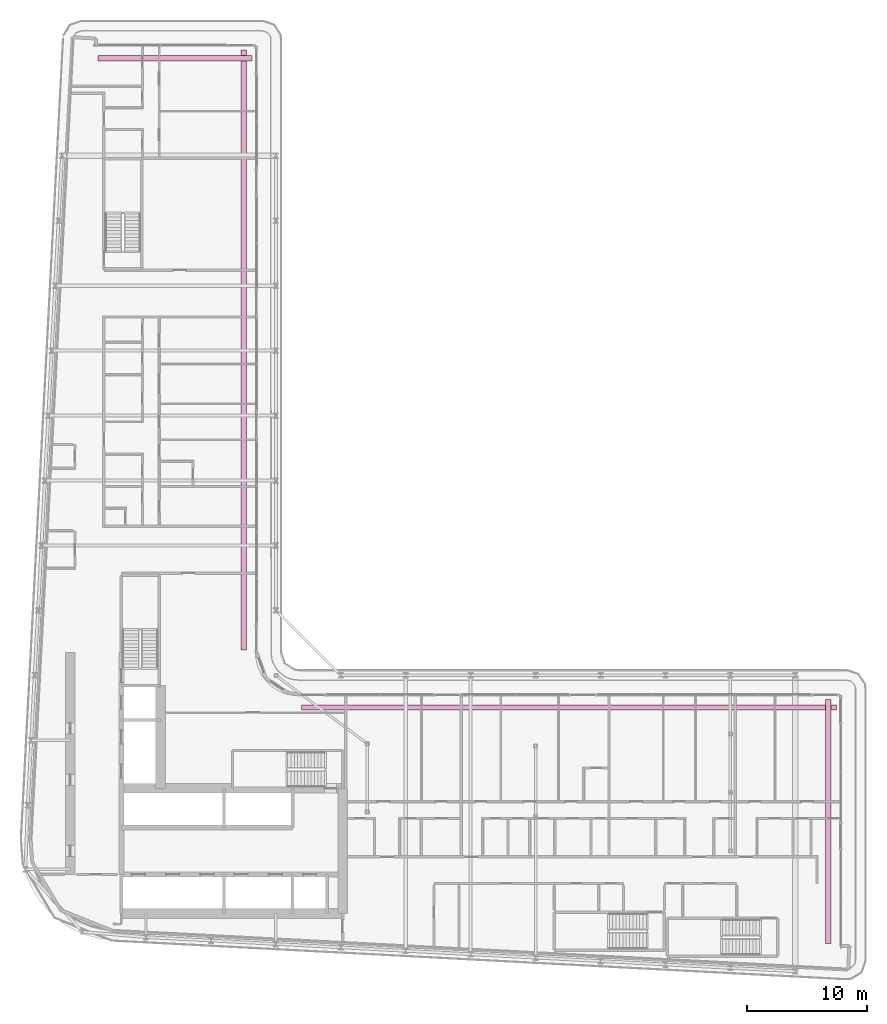
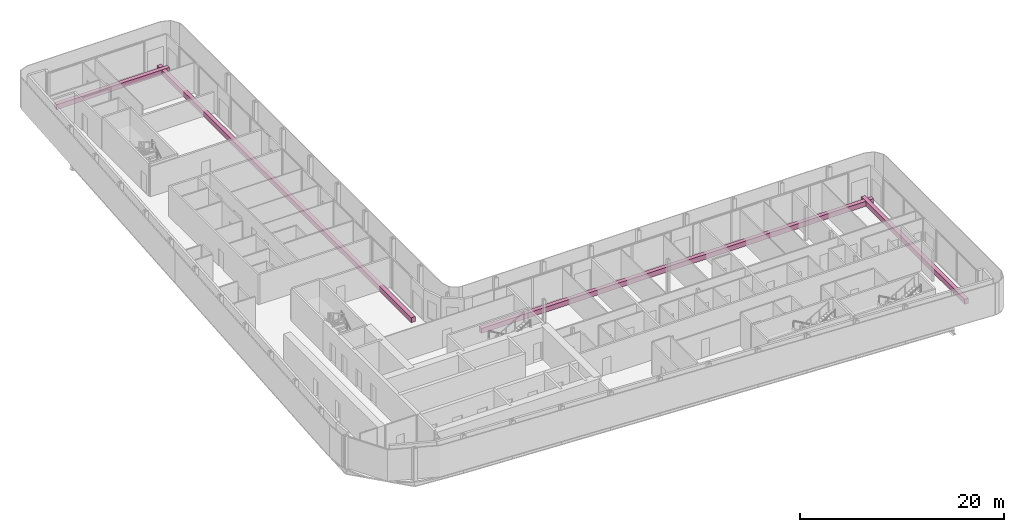
# One storey, part 29 of 29: 4 furniture elements.
"""IFC4 building model written with IfcOpenShell, lengths in metres."""

from ifc_helpers import new_model, si_unit, direction, frame, origin, origin_2d, place, context, subcontext, project, spatial, rectangle, extrude, material, type_object, element, save


model = new_model("IFC4")

# Units and contexts
model_context = context("Model", 3, precision=1e-05, world=origin(), true_north=direction((0.0, 1.0)))
body_context = subcontext(model_context, "Body", "Model", "MODEL_VIEW")
ifc_project = project(units=[si_unit("LENGTHUNIT", "METRE"), si_unit("AREAUNIT", "SQUARE_METRE"), si_unit("VOLUMEUNIT", "CUBIC_METRE"), si_unit("PLANEANGLEUNIT", "RADIAN"), si_unit("MASSUNIT", "GRAM", prefix="KILO")], contexts=[model_context])

# Site, building, storey
site_placement = place(None, origin())
site = spatial("IfcSite", under=ifc_project, at=site_placement, CompositionType="ELEMENT")
building_placement = place(site_placement, origin())
building = spatial("IfcBuilding", under=site, at=building_placement, Name="Kheshtan School and Residences Tower", CompositionType="ELEMENT")
storey_placement = place(building_placement, frame((0.0, 0.0, 168.199951171875)))
storey = spatial("IfcBuildingStorey", under=building, at=storey_placement, Name="L39", CompositionType="ELEMENT", Elevation=168.199951171875)

# Furniture
ifc_material = material(Name="Precast concrete C30/37 in terracotta finish", Category="masonry")
furniture_type = type_object("IfcFurnitureType", Name="Planter trough", AssemblyPlace="NOTDEFINED", PredefinedType="USERDEFINED", material=ifc_material)
furniture_1_placement = place(storey_placement, frame((39.196044921875, 96.925048828125, 0.0), z_axis=(0.0, 0.0, 1.0), x_axis=(1.0, 0.0, 0.0)))
element("IfcFurniture", 1, at=furniture_1_placement, inside=storey, type_object=furniture_type, Name="Planter L39", ObjectType="PLANTER", PredefinedType="USERDEFINED", context=body_context, shape_type="SweptSolid", body=[
    extrude(rectangle(XDim=12.80810546875, YDim=0.449951171875, at=origin_2d()), origin(), (0.0, 0.0, 1.0), 0.60009765625),
])
furniture_2_placement = place(storey_placement, frame((44.925048828125, 72.6650390625, 0.0), z_axis=(0.0, 0.0, 1.0), x_axis=(0.0, -1.0, 0.0)))
element("IfcFurniture", 2, at=furniture_2_placement, inside=storey, type_object=furniture_type, Name="Planter L39", ObjectType="PLANTER", PredefinedType="USERDEFINED", context=body_context, shape_type="SweptSolid", body=[
    extrude(rectangle(XDim=49.8701171875, YDim=0.449951171875, at=origin_2d()), origin(), (0.0, 0.0, 1.0), 0.60009765625),
])
furniture_3_placement = place(storey_placement, frame((71.965087890625, 42.925048828125, 0.0), z_axis=(0.0, 0.0, 1.0), x_axis=(1.0, 0.0, 0.0)))
element("IfcFurniture", 3, at=furniture_3_placement, inside=storey, type_object=furniture_type, Name="Planter L39", ObjectType="PLANTER", PredefinedType="USERDEFINED", context=body_context, shape_type="SweptSolid", body=[
    extrude(rectangle(XDim=44.469970703125, YDim=0.449951171875, at=origin_2d()), origin(), (0.0, 0.0, 1.0), 0.60009765625),
])
furniture_4_placement = place(storey_placement, frame((93.52490234375, 33.448974609375, 0.0), z_axis=(0.0, 0.0, 1.0), x_axis=(0.0, -1.0, 0.0)))
element("IfcFurniture", 4, at=furniture_4_placement, inside=storey, type_object=furniture_type, Name="Planter L39", ObjectType="PLANTER", PredefinedType="USERDEFINED", context=body_context, shape_type="SweptSolid", body=[
    extrude(rectangle(XDim=20.302001953125, YDim=0.449951171875, at=origin_2d()), origin(), (0.0, 0.0, 1.0), 0.60009765625),
])

save(model, "model.ifc")
